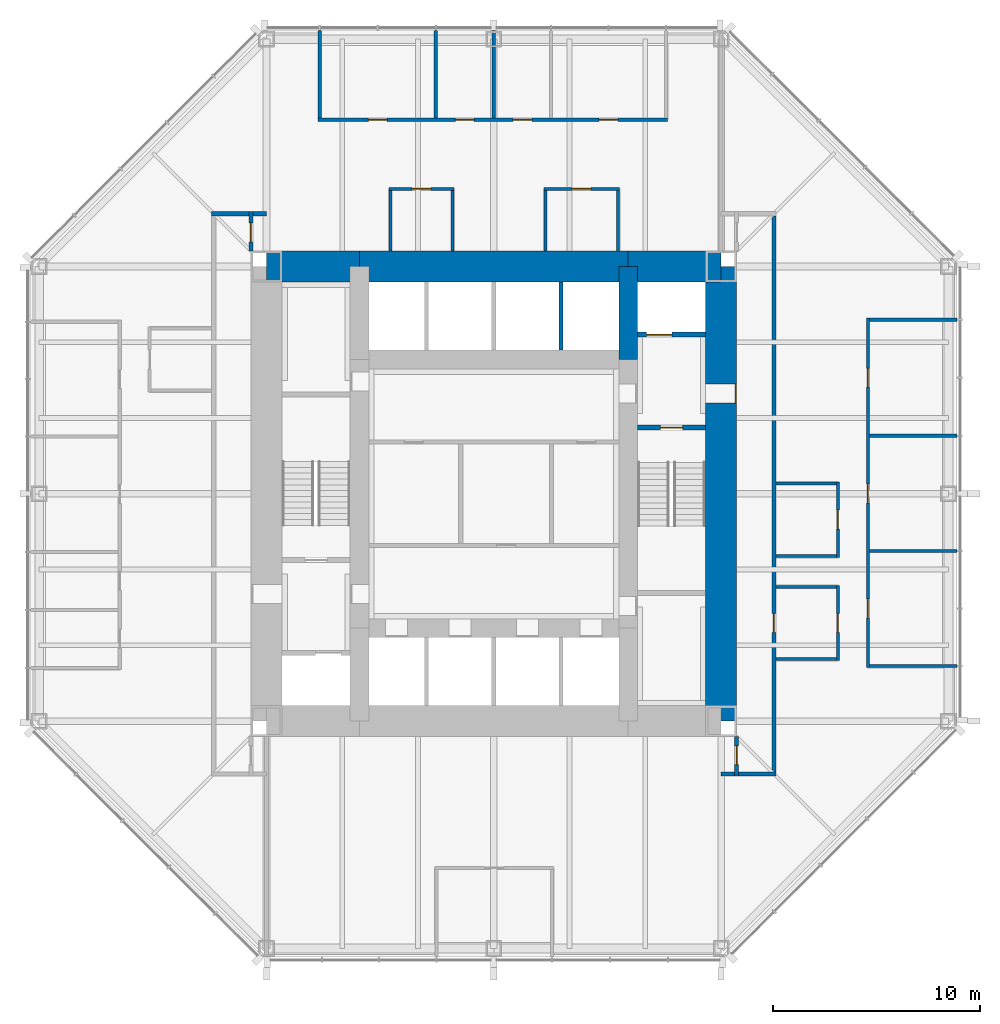
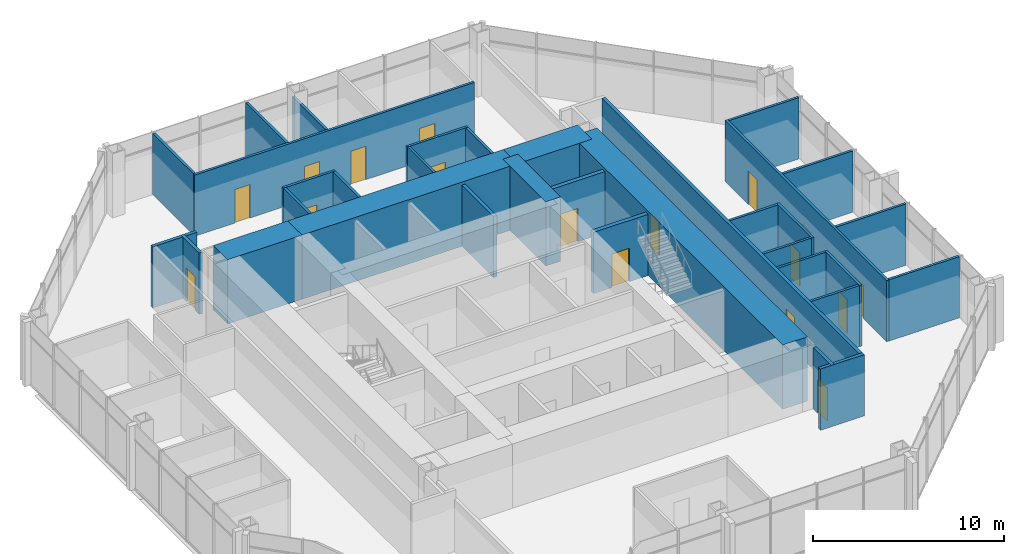
# One storey, part 10 of 12: 34 walls, 17 doors, 17 openings.
"""IFC4 building model written with IfcOpenShell, lengths in metres."""

from ifc_helpers import new_model, si_unit, direction, frame, frame_2d, origin, place, context, subcontext, project, spatial, rectangle, extrude, material, layer, layer_set, type_object, element, fill, save


model = new_model("IFC4")

# Units and contexts
model_context = context("Model", 3, precision=1e-05, world=origin(), true_north=direction((0.0, 1.0)))
body_context = subcontext(model_context, "Body", "Model", "MODEL_VIEW")
ifc_project = project(units=[si_unit("LENGTHUNIT", "METRE"), si_unit("AREAUNIT", "SQUARE_METRE"), si_unit("VOLUMEUNIT", "CUBIC_METRE"), si_unit("PLANEANGLEUNIT", "RADIAN"), si_unit("MASSUNIT", "GRAM", prefix="KILO")], contexts=[model_context])

# Site, building, storey
site_placement = place(None, origin())
site = spatial("IfcSite", under=ifc_project, at=site_placement, CompositionType="ELEMENT")
building_placement = place(site_placement, origin())
building = spatial("IfcBuilding", under=site, at=building_placement, Name="Trevanion Tower", CompositionType="ELEMENT")
storey_placement = place(building_placement, frame((0.0, 0.0, 133.60009765625)))
storey = spatial("IfcBuildingStorey", under=building, at=storey_placement, Name="L31", CompositionType="ELEMENT", Elevation=133.60009765625)

# Wall, opening, door
ifc_material_1 = material(Name="Concrete 10,000 psi", Category="concrete")
ifc_layer_1 = layer(ifc_material_1, 1.5)
ifc_layer_set_1 = layer_set([ifc_layer_1], Name="CW1 core wall 1500")
wall_type_1 = type_object("IfcWallType", Name="CW1 core wall 1500", PredefinedType="SHEAR", material=ifc_layer_set_1)
wall_1_placement = place(storey_placement, frame((11.0, -11.0, 0.0), z_axis=(0.0, 0.0, 1.0), x_axis=(0.0, 1.0, 0.0)))
wall_1 = element("IfcWall", 1, at=wall_1_placement, inside=storey, type_object=wall_type_1, Name="CW1 CE L31", PredefinedType="SHEAR", context=body_context, shape_type="SweptSolid", body=[
    extrude(rectangle(XDim=22.0, YDim=1.5, at=frame_2d((11.0, 0.0))), origin(), (0.0, 0.0, 1.0), 4.099853515625),
])
opening_1_placement = place(wall_1_placement, frame((15.392578125, 0.0, 0.0)))
opening_1 = element("IfcOpeningElement", 2, at=opening_1_placement, cuts=wall_1, Name="Opening 31-001", PredefinedType="OPENING", context=body_context, shape_type="SweptSolid", body=[
    extrude(rectangle(XDim=0.9150390625, YDim=2.134033203125, at=frame_2d((0.45751953125, 1.06689453125))), frame((0.0, 0.760009765625, 0.0), z_axis=(0.0, -1.0, 0.0), x_axis=(1.0, 0.0, 0.0)), (0.0, 0.0, 1.0), 1.52001953125),
])
ifc_material_2 = material(Name="Hollow metal, fire rated", Category="steel")
door_type_1 = type_object("IfcDoorType", Name="D3 fire lift lobby door", OperationType="SINGLE_SWING_RIGHT", PredefinedType="DOOR", material=ifc_material_2)
door_1_placement = place(opening_1_placement, origin())
door_1 = element("IfcDoor", 3, at=door_1_placement, inside=storey, type_object=door_type_1, Name="Door 31-001", OperationType="SINGLE_SWING_RIGHT", OverallHeight=2.134033203125, OverallWidth=0.9150390625, PredefinedType="DOOR", context=body_context, shape_type="SweptSolid", body=[
    extrude(rectangle(XDim=0.9150390625, YDim=2.134033203125, at=frame_2d((0.45751953125, 1.06689453125))), frame((0.0, -0.6748046875, 0.0), z_axis=(0.0, -1.0, 0.0), x_axis=(1.0, 0.0, 0.0)), (0.0, 0.0, 1.0), 0.050048828125),
])
fill(opening_1, door_1)

# Walls
wall_2_placement = place(storey_placement, frame((11.0, 11.0, 0.0), z_axis=(0.0, 0.0, 1.0), x_axis=(-1.0, 0.0, 0.0)))
element("IfcWall", 4, at=wall_2_placement, inside=storey, type_object=wall_type_1, Name="CW1 CN1 L31", PredefinedType="SHEAR", context=body_context, shape_type="SweptSolid", body=[
    extrude(rectangle(XDim=4.5, YDim=1.5, at=frame_2d((2.25, 0.0))), origin(), (0.0, 0.0, 1.0), 4.099853515625),
])
wall_3_placement = place(storey_placement, frame((6.5, 11.0, 0.0), z_axis=(0.0, 0.0, 1.0), x_axis=(-1.0, 0.0, 0.0)))
element("IfcWall", 5, at=wall_3_placement, inside=storey, type_object=wall_type_1, Name="CW1 CN2 L31", PredefinedType="SHEAR", context=body_context, shape_type="SweptSolid", body=[
    extrude(rectangle(XDim=13.0, YDim=1.5, at=frame_2d((6.5, 0.0))), origin(), (0.0, 0.0, 1.0), 4.099853515625),
])
wall_4_placement = place(storey_placement, frame((-6.5, 11.0, 0.0), z_axis=(0.0, 0.0, 1.0), x_axis=(-1.0, 0.0, 0.0)))
element("IfcWall", 6, at=wall_4_placement, inside=storey, type_object=wall_type_1, Name="CW1 CN3 L31", PredefinedType="SHEAR", context=body_context, shape_type="SweptSolid", body=[
    extrude(rectangle(XDim=4.5, YDim=1.5, at=frame_2d((2.25, 0.0))), origin(), (0.0, 0.0, 1.0), 4.099853515625),
])
ifc_material_3 = material(Name="Concrete 10,000 psi", Category="concrete")
ifc_layer_2 = layer(ifc_material_3, 0.89990234375)
ifc_layer_set_2 = layer_set([ifc_layer_2], Name="CW2 core wall 900")
wall_type_2 = type_object("IfcWallType", Name="CW2 core wall 900", PredefinedType="SHEAR", material=ifc_layer_set_2)
wall_5_placement = place(storey_placement, frame((6.5, 6.5, 0.0), z_axis=(0.0, 0.0, 1.0), x_axis=(0.0, 1.0, 0.0)))
element("IfcWall", 7, at=wall_5_placement, inside=storey, type_object=wall_type_2, Name="CW2 RE3 L31", PredefinedType="SHEAR", context=body_context, shape_type="SweptSolid", body=[
    extrude(rectangle(XDim=4.5, YDim=0.89990234375, at=frame_2d((2.25, 0.0))), origin(), (0.0, 0.0, 1.0), 4.099853515625),
])

# Wall, openings, doors
ifc_material_4 = material(Name="Gypsum board on steel studs", Category="steel")
ifc_layer_3 = layer(ifc_material_4, 0.14990234375)
ifc_layer_set_3 = layer_set([ifc_layer_3], Name="PT1 partition 150")
wall_type_3 = type_object("IfcWallType", Name="PT1 partition 150", PredefinedType="PARTITIONING", material=ifc_layer_set_3)
wall_6_placement = place(storey_placement, frame((18.10009765625, -8.39794921875, 0.0), z_axis=(0.0, 0.0, 1.0), x_axis=(0.0, 1.0, 0.0)))
wall_6 = element("IfcWall", 8, at=wall_6_placement, inside=storey, type_object=wall_type_3, Name="PT1 L31 FC0F", PredefinedType="PARTITIONING", context=body_context, shape_type="SweptSolid", body=[
    extrude(rectangle(XDim=16.89404296875, YDim=0.14990234375, at=frame_2d((8.447021484375, 0.0))), origin(), (0.0, 0.0, 1.0), 3.909912109375),
])
opening_2_placement = place(wall_6_placement, frame((2.3916015625, 0.0, 0.0)))
opening_2 = element("IfcOpeningElement", 9, at=opening_2_placement, cuts=wall_6, Name="Opening 31-022", PredefinedType="OPENING", context=body_context, shape_type="SweptSolid", body=[
    extrude(rectangle(XDim=0.9150390625, YDim=2.134033203125, at=frame_2d((0.45751953125, 1.06689453125))), frame((0.0, 0.0849609375, 0.0), z_axis=(0.0, -1.0, 0.0), x_axis=(1.0, 0.0, 0.0)), (0.0, 0.0, 1.0), 0.169921875),
])
opening_3_placement = place(wall_6_placement, frame((7.95654296875, 0.0, 0.0)))
opening_3 = element("IfcOpeningElement", 10, at=opening_3_placement, cuts=wall_6, Name="Opening 31-023", PredefinedType="OPENING", context=body_context, shape_type="SweptSolid", body=[
    extrude(rectangle(XDim=0.9150390625, YDim=2.134033203125, at=frame_2d((0.45751953125, 1.06689453125))), frame((0.0, 0.0849609375, 0.0), z_axis=(0.0, -1.0, 0.0), x_axis=(1.0, 0.0, 0.0)), (0.0, 0.0, 1.0), 0.169921875),
])
opening_4_placement = place(wall_6_placement, frame((13.554443359375, 0.0, 0.0)))
opening_4 = element("IfcOpeningElement", 11, at=opening_4_placement, cuts=wall_6, Name="Opening 31-024", PredefinedType="OPENING", context=body_context, shape_type="SweptSolid", body=[
    extrude(rectangle(XDim=0.9150390625, YDim=2.134033203125, at=frame_2d((0.45751953125, 1.06689453125))), frame((0.0, 0.0849609375, 0.0), z_axis=(0.0, -1.0, 0.0), x_axis=(1.0, 0.0, 0.0)), (0.0, 0.0, 1.0), 0.169921875),
])
ifc_material_5 = material(Name="Timber veneer, solid core", Category="wood")
door_type_2 = type_object("IfcDoorType", Name="D1 office and meeting room door", OperationType="SINGLE_SWING_LEFT", PredefinedType="DOOR", material=ifc_material_5)
door_2_placement = place(opening_2_placement, origin())
door_2 = element("IfcDoor", 12, at=door_2_placement, inside=storey, type_object=door_type_2, Name="Door 31-022", OperationType="SINGLE_SWING_LEFT", OverallHeight=2.134033203125, OverallWidth=0.9150390625, PredefinedType="DOOR", context=body_context, shape_type="SweptSolid", body=[
    extrude(rectangle(XDim=0.9150390625, YDim=2.134033203125, at=frame_2d((0.45751953125, 1.06689453125))), frame((0.0, 0.02490234375, 0.0), z_axis=(0.0, -1.0, 0.0), x_axis=(1.0, 0.0, 0.0)), (0.0, 0.0, 1.0), 0.050048828125),
])
fill(opening_2, door_2)
door_3_placement = place(opening_3_placement, origin())
door_3 = element("IfcDoor", 13, at=door_3_placement, inside=storey, type_object=door_type_2, Name="Door 31-023", OperationType="SINGLE_SWING_LEFT", OverallHeight=2.134033203125, OverallWidth=0.9150390625, PredefinedType="DOOR", context=body_context, shape_type="SweptSolid", body=[
    extrude(rectangle(XDim=0.9150390625, YDim=2.134033203125, at=frame_2d((0.45751953125, 1.06689453125))), frame((0.0, 0.02490234375, 0.0), z_axis=(0.0, -1.0, 0.0), x_axis=(1.0, 0.0, 0.0)), (0.0, 0.0, 1.0), 0.050048828125),
])
fill(opening_3, door_3)
door_4_placement = place(opening_4_placement, origin())
door_4 = element("IfcDoor", 14, at=door_4_placement, inside=storey, type_object=door_type_2, Name="Door 31-024", OperationType="SINGLE_SWING_LEFT", OverallHeight=2.134033203125, OverallWidth=0.9150390625, PredefinedType="DOOR", context=body_context, shape_type="SweptSolid", body=[
    extrude(rectangle(XDim=0.9150390625, YDim=2.134033203125, at=frame_2d((0.45751953125, 1.06689453125))), frame((0.0, 0.02490234375, 0.0), z_axis=(0.0, -1.0, 0.0), x_axis=(1.0, 0.0, 0.0)), (0.0, 0.0, 1.0), 0.050048828125),
])
fill(opening_4, door_4)

# Walls
for number, where, z_axis, x_axis, name in (
    (15, (18.175048828125, -8.322998046875, 0.0), (0.0, 0.0, 1.0), (1.0, 0.0, 0.0), "PT1 L31 FC0S0"),
    (16, (18.175048828125, -2.77490234375, 0.0), (0.0, 0.0, 1.0), (1.0, 0.0, 0.0), "PT1 L31 FC0S2"),
    (17, (18.175048828125, 2.806884765625, 0.0), (0.0, 0.0, 1.0), (1.0, 0.0, 0.0), "PT1 L31 FC0S4"),
    (18, (18.175048828125, 8.4208984375, 0.0), (0.0, 0.0, 1.0), (1.0, 0.0, 0.0), "PT1 L31 FC0S6"),
):
    element("IfcWall", number, at=place(storey_placement, frame(where, z_axis=z_axis, x_axis=x_axis)), inside=storey, type_object=wall_type_3, Name=name, PredefinedType="PARTITIONING", context=body_context, shape_type="SweptSolid", body=[
        extrude(rectangle(XDim=4.239990234375, YDim=0.14990234375, at=frame_2d((2.1201171875, 0.0))), origin(), (0.0, 0.0, 1.0), 3.909912109375),
    ])

# Wall, openings, doors
wall_7_placement = place(storey_placement, frame((8.39794921875, 18.10009765625, 0.0), z_axis=(0.0, 0.0, 1.0), x_axis=(-1.0, 0.0, 0.0)))
wall_7 = element("IfcWall", 19, at=wall_7_placement, inside=storey, type_object=wall_type_3, Name="PT1 L31 FC1F", PredefinedType="PARTITIONING", context=body_context, shape_type="SweptSolid", body=[
    extrude(rectangle(XDim=16.89404296875, YDim=0.14990234375, at=frame_2d((8.447021484375, 0.0))), origin(), (0.0, 0.0, 1.0), 3.909912109375),
])
opening_5_placement = place(wall_7_placement, frame((2.3916015625, 0.0, 0.0)))
opening_5 = element("IfcOpeningElement", 20, at=opening_5_placement, cuts=wall_7, Name="Opening 31-025", PredefinedType="OPENING", context=body_context, shape_type="SweptSolid", body=[
    extrude(rectangle(XDim=0.9150390625, YDim=2.134033203125, at=frame_2d((0.45751953125, 1.06689453125))), frame((0.0, 0.0849609375, 0.0), z_axis=(0.0, -1.0, 0.0), x_axis=(1.0, 0.0, 0.0)), (0.0, 0.0, 1.0), 0.169921875),
])
opening_6_placement = place(wall_7_placement, frame((6.552978515625, 0.0, 0.0)))
opening_6 = element("IfcOpeningElement", 21, at=opening_6_placement, cuts=wall_7, Name="Opening 31-026", PredefinedType="OPENING", context=body_context, shape_type="SweptSolid", body=[
    extrude(rectangle(XDim=0.9150390625, YDim=2.134033203125, at=frame_2d((0.45751953125, 1.06689453125))), frame((0.0, 0.0849609375, 0.0), z_axis=(0.0, -1.0, 0.0), x_axis=(1.0, 0.0, 0.0)), (0.0, 0.0, 1.0), 0.169921875),
])
opening_7_placement = place(wall_7_placement, frame((9.343994140625, 0.0, 0.0)))
opening_7 = element("IfcOpeningElement", 22, at=opening_7_placement, cuts=wall_7, Name="Opening 31-027", PredefinedType="OPENING", context=body_context, shape_type="SweptSolid", body=[
    extrude(rectangle(XDim=0.9150390625, YDim=2.134033203125, at=frame_2d((0.45751953125, 1.06689453125))), frame((0.0, 0.0849609375, 0.0), z_axis=(0.0, -1.0, 0.0), x_axis=(1.0, 0.0, 0.0)), (0.0, 0.0, 1.0), 0.169921875),
])
opening_8_placement = place(wall_7_placement, frame((13.554443359375, 0.0, 0.0)))
opening_8 = element("IfcOpeningElement", 23, at=opening_8_placement, cuts=wall_7, Name="Opening 31-028", PredefinedType="OPENING", context=body_context, shape_type="SweptSolid", body=[
    extrude(rectangle(XDim=0.9150390625, YDim=2.134033203125, at=frame_2d((0.45751953125, 1.06689453125))), frame((0.0, 0.0849609375, 0.0), z_axis=(0.0, -1.0, 0.0), x_axis=(1.0, 0.0, 0.0)), (0.0, 0.0, 1.0), 0.169921875),
])
door_5_placement = place(opening_5_placement, origin())
door_5 = element("IfcDoor", 24, at=door_5_placement, inside=storey, type_object=door_type_2, Name="Door 31-025", OperationType="SINGLE_SWING_LEFT", OverallHeight=2.134033203125, OverallWidth=0.9150390625, PredefinedType="DOOR", context=body_context, shape_type="SweptSolid", body=[
    extrude(rectangle(XDim=0.9150390625, YDim=2.134033203125, at=frame_2d((0.45751953125, 1.06689453125))), frame((0.0, 0.02490234375, 0.0), z_axis=(0.0, -1.0, 0.0), x_axis=(1.0, 0.0, 0.0)), (0.0, 0.0, 1.0), 0.050048828125),
])
fill(opening_5, door_5)
door_6_placement = place(opening_6_placement, origin())
door_6 = element("IfcDoor", 25, at=door_6_placement, inside=storey, type_object=door_type_2, Name="Door 31-026", OperationType="SINGLE_SWING_LEFT", OverallHeight=2.134033203125, OverallWidth=0.9150390625, PredefinedType="DOOR", context=body_context, shape_type="SweptSolid", body=[
    extrude(rectangle(XDim=0.9150390625, YDim=2.134033203125, at=frame_2d((0.45751953125, 1.06689453125))), frame((0.0, 0.02490234375, 0.0), z_axis=(0.0, -1.0, 0.0), x_axis=(1.0, 0.0, 0.0)), (0.0, 0.0, 1.0), 0.050048828125),
])
fill(opening_6, door_6)
door_7_placement = place(opening_7_placement, origin())
door_7 = element("IfcDoor", 26, at=door_7_placement, inside=storey, type_object=door_type_2, Name="Door 31-027", OperationType="SINGLE_SWING_LEFT", OverallHeight=2.134033203125, OverallWidth=0.9150390625, PredefinedType="DOOR", context=body_context, shape_type="SweptSolid", body=[
    extrude(rectangle(XDim=0.9150390625, YDim=2.134033203125, at=frame_2d((0.45751953125, 1.06689453125))), frame((0.0, 0.02490234375, 0.0), z_axis=(0.0, -1.0, 0.0), x_axis=(1.0, 0.0, 0.0)), (0.0, 0.0, 1.0), 0.050048828125),
])
fill(opening_7, door_7)
door_8_placement = place(opening_8_placement, origin())
door_8 = element("IfcDoor", 27, at=door_8_placement, inside=storey, type_object=door_type_2, Name="Door 31-028", OperationType="SINGLE_SWING_LEFT", OverallHeight=2.134033203125, OverallWidth=0.9150390625, PredefinedType="DOOR", context=body_context, shape_type="SweptSolid", body=[
    extrude(rectangle(XDim=0.9150390625, YDim=2.134033203125, at=frame_2d((0.45751953125, 1.06689453125))), frame((0.0, 0.02490234375, 0.0), z_axis=(0.0, -1.0, 0.0), x_axis=(1.0, 0.0, 0.0)), (0.0, 0.0, 1.0), 0.050048828125),
])
fill(opening_8, door_8)

# Walls
wall_8_placement = place(storey_placement, frame((0.0, 18.175048828125, 0.0), z_axis=(0.0, 0.0, 1.0), x_axis=(0.0, 1.0, 0.0)))
element("IfcWall", 28, at=wall_8_placement, inside=storey, type_object=wall_type_3, Name="PT1 L31 FC1S3", PredefinedType="PARTITIONING", context=body_context, shape_type="SweptSolid", body=[
    extrude(rectangle(XDim=4.239990234375, YDim=0.14990234375, at=frame_2d((2.1201171875, 0.0))), origin(), (0.0, 0.0, 1.0), 3.32568359375),
])
for number, where, z_axis, x_axis, name in (
    (29, (-2.806884765625, 18.175048828125, 0.0), (0.0, 0.0, 1.0), (0.0, 1.0, 0.0), "PT1 L31 FC1S4"),
    (30, (-8.4208984375, 18.175048828125, 0.0), (0.0, 0.0, 1.0), (0.0, 1.0, 0.0), "PT1 L31 FC1S6"),
):
    element("IfcWall", number, at=place(storey_placement, frame(where, z_axis=z_axis, x_axis=x_axis)), inside=storey, type_object=wall_type_3, Name=name, PredefinedType="PARTITIONING", context=body_context, shape_type="SweptSolid", body=[
        extrude(rectangle(XDim=4.239990234375, YDim=0.14990234375, at=frame_2d((2.1201171875, 0.0))), origin(), (0.0, 0.0, 1.0), 3.909912109375),
    ])

# Wall, opening, door
wall_9_placement = place(storey_placement, frame((16.64990234375, -8.074951171875, 0.0), z_axis=(0.0, 0.0, 1.0), x_axis=(0.0, 1.0, 0.0)))
wall_9 = element("IfcWall", 31, at=wall_9_placement, inside=storey, type_object=wall_type_3, Name="PT1 L31 IN00F", PredefinedType="PARTITIONING", context=body_context, shape_type="SweptSolid", body=[
    extrude(rectangle(XDim=3.64990234375, YDim=0.14990234375, at=frame_2d((1.824951171875, 0.0))), origin(), (0.0, 0.0, 1.0), 3.909912109375),
])
opening_9_placement = place(wall_9_placement, frame((1.367431640625, 0.0, 0.0)))
opening_9 = element("IfcOpeningElement", 32, at=opening_9_placement, cuts=wall_9, Name="Opening 31-034", PredefinedType="OPENING", context=body_context, shape_type="SweptSolid", body=[
    extrude(rectangle(XDim=0.9150390625, YDim=2.134033203125, at=frame_2d((0.45751953125, 1.06689453125))), frame((0.0, 0.0849609375, 0.0), z_axis=(0.0, -1.0, 0.0), x_axis=(1.0, 0.0, 0.0)), (0.0, 0.0, 1.0), 0.169921875),
])
door_9_placement = place(opening_9_placement, origin())
door_9 = element("IfcDoor", 33, at=door_9_placement, inside=storey, type_object=door_type_2, Name="Door 31-034", OperationType="SINGLE_SWING_LEFT", OverallHeight=2.134033203125, OverallWidth=0.9150390625, PredefinedType="DOOR", context=body_context, shape_type="SweptSolid", body=[
    extrude(rectangle(XDim=0.9150390625, YDim=2.134033203125, at=frame_2d((0.45751953125, 1.06689453125))), frame((0.0, 0.02490234375, 0.0), z_axis=(0.0, -1.0, 0.0), x_axis=(1.0, 0.0, 0.0)), (0.0, 0.0, 1.0), 0.050048828125),
])
fill(opening_9, door_9)

# Walls
for number, where, z_axis, x_axis, name in (
    (34, (16.574951171875, -8.0, 0.0), (0.0, 0.0, 1.0), (-1.0, 0.0, 0.0), "PT1 L31 IN00S0"),
    (35, (16.574951171875, -4.5, 0.0), (0.0, 0.0, 1.0), (-1.0, 0.0, 0.0), "PT1 L31 IN00S1"),
):
    element("IfcWall", number, at=place(storey_placement, frame(where, z_axis=z_axis, x_axis=x_axis)), inside=storey, type_object=wall_type_3, Name=name, PredefinedType="PARTITIONING", context=body_context, shape_type="SweptSolid", body=[
        extrude(rectangle(XDim=2.925048828125, YDim=0.14990234375, at=frame_2d((1.46240234375, 0.0))), origin(), (0.0, 0.0, 1.0), 3.909912109375),
    ])

# Wall, opening, door
wall_10_placement = place(storey_placement, frame((16.64990234375, -3.074951171875, 0.0), z_axis=(0.0, 0.0, 1.0), x_axis=(0.0, 1.0, 0.0)))
wall_10 = element("IfcWall", 36, at=wall_10_placement, inside=storey, type_object=wall_type_3, Name="PT1 L31 IN01F", PredefinedType="PARTITIONING", context=body_context, shape_type="SweptSolid", body=[
    extrude(rectangle(XDim=3.64990234375, YDim=0.14990234375, at=frame_2d((1.824951171875, 0.0))), origin(), (0.0, 0.0, 1.0), 3.909912109375),
])
opening_10_placement = place(wall_10_placement, frame((1.367431640625, 0.0, 0.0)))
opening_10 = element("IfcOpeningElement", 37, at=opening_10_placement, cuts=wall_10, Name="Opening 31-036", PredefinedType="OPENING", context=body_context, shape_type="SweptSolid", body=[
    extrude(rectangle(XDim=0.9150390625, YDim=2.134033203125, at=frame_2d((0.45751953125, 1.06689453125))), frame((0.0, 0.0849609375, 0.0), z_axis=(0.0, -1.0, 0.0), x_axis=(1.0, 0.0, 0.0)), (0.0, 0.0, 1.0), 0.169921875),
])
door_10_placement = place(opening_10_placement, origin())
door_10 = element("IfcDoor", 38, at=door_10_placement, inside=storey, type_object=door_type_2, Name="Door 31-036", OperationType="SINGLE_SWING_LEFT", OverallHeight=2.134033203125, OverallWidth=0.9150390625, PredefinedType="DOOR", context=body_context, shape_type="SweptSolid", body=[
    extrude(rectangle(XDim=0.9150390625, YDim=2.134033203125, at=frame_2d((0.45751953125, 1.06689453125))), frame((0.0, 0.02490234375, 0.0), z_axis=(0.0, -1.0, 0.0), x_axis=(1.0, 0.0, 0.0)), (0.0, 0.0, 1.0), 0.050048828125),
])
fill(opening_10, door_10)

# Walls
for number, where, z_axis, x_axis, name in (
    (39, (16.574951171875, -3.0, 0.0), (0.0, 0.0, 1.0), (-1.0, 0.0, 0.0), "PT1 L31 IN01S0"),
    (40, (16.574951171875, 0.5, 0.0), (0.0, 0.0, 1.0), (-1.0, 0.0, 0.0), "PT1 L31 IN01S1"),
):
    element("IfcWall", number, at=place(storey_placement, frame(where, z_axis=z_axis, x_axis=x_axis)), inside=storey, type_object=wall_type_3, Name=name, PredefinedType="PARTITIONING", context=body_context, shape_type="SweptSolid", body=[
        extrude(rectangle(XDim=2.925048828125, YDim=0.14990234375, at=frame_2d((1.46240234375, 0.0))), origin(), (0.0, 0.0, 1.0), 3.909912109375),
    ])

# Wall, opening, door
wall_11_placement = place(storey_placement, frame((6.074951171875, 14.75, 0.0), z_axis=(0.0, 0.0, 1.0), x_axis=(-1.0, 0.0, 0.0)))
wall_11 = element("IfcWall", 41, at=wall_11_placement, inside=storey, type_object=wall_type_3, Name="PT1 L31 IN10F", PredefinedType="PARTITIONING", context=body_context, shape_type="SweptSolid", body=[
    extrude(rectangle(XDim=3.64990234375, YDim=0.14990234375, at=frame_2d((1.824951171875, 0.0))), origin(), (0.0, 0.0, 1.0), 3.909912109375),
])
opening_11_placement = place(wall_11_placement, frame((1.367431640625, 0.0, 0.0)))
opening_11 = element("IfcOpeningElement", 42, at=opening_11_placement, cuts=wall_11, Name="Opening 31-037", PredefinedType="OPENING", context=body_context, shape_type="SweptSolid", body=[
    extrude(rectangle(XDim=0.9150390625, YDim=2.134033203125, at=frame_2d((0.45751953125, 1.06689453125))), frame((0.0, 0.0849609375, 0.0), z_axis=(0.0, -1.0, 0.0), x_axis=(1.0, 0.0, 0.0)), (0.0, 0.0, 1.0), 0.169921875),
])
door_11_placement = place(opening_11_placement, origin())
door_11 = element("IfcDoor", 43, at=door_11_placement, inside=storey, type_object=door_type_2, Name="Door 31-037", OperationType="SINGLE_SWING_LEFT", OverallHeight=2.134033203125, OverallWidth=0.9150390625, PredefinedType="DOOR", context=body_context, shape_type="SweptSolid", body=[
    extrude(rectangle(XDim=0.9150390625, YDim=2.134033203125, at=frame_2d((0.45751953125, 1.06689453125))), frame((0.0, 0.02490234375, 0.0), z_axis=(0.0, -1.0, 0.0), x_axis=(1.0, 0.0, 0.0)), (0.0, 0.0, 1.0), 0.050048828125),
])
fill(opening_11, door_11)

# Walls
for number, where, z_axis, x_axis, name in (
    (44, (6.0, 14.675048828125, 0.0), (0.0, 0.0, 1.0), (0.0, -1.0, 0.0), "PT1 L31 IN10S0"),
    (45, (2.5, 14.675048828125, 0.0), (0.0, 0.0, 1.0), (0.0, -1.0, 0.0), "PT1 L31 IN10S1"),
):
    element("IfcWall", number, at=place(storey_placement, frame(where, z_axis=z_axis, x_axis=x_axis)), inside=storey, type_object=wall_type_3, Name=name, PredefinedType="PARTITIONING", context=body_context, shape_type="SweptSolid", body=[
        extrude(rectangle(XDim=2.925048828125, YDim=0.14990234375, at=frame_2d((1.46240234375, 0.0))), origin(), (0.0, 0.0, 1.0), 3.909912109375),
    ])

# Wall, opening, door
wall_12_placement = place(storey_placement, frame((-1.925048828125, 14.75, 0.0), z_axis=(0.0, 0.0, 1.0), x_axis=(-1.0, 0.0, 0.0)))
wall_12 = element("IfcWall", 46, at=wall_12_placement, inside=storey, type_object=wall_type_3, Name="PT1 L31 IN11F", PredefinedType="PARTITIONING", context=body_context, shape_type="SweptSolid", body=[
    extrude(rectangle(XDim=3.14990234375, YDim=0.14990234375, at=frame_2d((1.574951171875, 0.0))), origin(), (0.0, 0.0, 1.0), 3.909912109375),
])
opening_12_placement = place(wall_12_placement, frame((1.117431640625, 0.0, 0.0)))
opening_12 = element("IfcOpeningElement", 47, at=opening_12_placement, cuts=wall_12, Name="Opening 31-038", PredefinedType="OPENING", context=body_context, shape_type="SweptSolid", body=[
    extrude(rectangle(XDim=0.9150390625, YDim=2.134033203125, at=frame_2d((0.45751953125, 1.06689453125))), frame((0.0, 0.0849609375, 0.0), z_axis=(0.0, -1.0, 0.0), x_axis=(1.0, 0.0, 0.0)), (0.0, 0.0, 1.0), 0.169921875),
])
door_12_placement = place(opening_12_placement, origin())
door_12 = element("IfcDoor", 48, at=door_12_placement, inside=storey, type_object=door_type_2, Name="Door 31-038", OperationType="SINGLE_SWING_LEFT", OverallHeight=2.134033203125, OverallWidth=0.9150390625, PredefinedType="DOOR", context=body_context, shape_type="SweptSolid", body=[
    extrude(rectangle(XDim=0.9150390625, YDim=2.134033203125, at=frame_2d((0.45751953125, 1.06689453125))), frame((0.0, 0.02490234375, 0.0), z_axis=(0.0, -1.0, 0.0), x_axis=(1.0, 0.0, 0.0)), (0.0, 0.0, 1.0), 0.050048828125),
])
fill(opening_12, door_12)

# Walls
for number, where, z_axis, x_axis, name in (
    (49, (-2.0, 14.675048828125, 0.0), (0.0, 0.0, 1.0), (0.0, -1.0, 0.0), "PT1 L31 IN11S0"),
    (50, (-5.0, 14.675048828125, 0.0), (0.0, 0.0, 1.0), (0.0, -1.0, 0.0), "PT1 L31 IN11S1"),
):
    element("IfcWall", number, at=place(storey_placement, frame(where, z_axis=z_axis, x_axis=x_axis)), inside=storey, type_object=wall_type_3, Name=name, PredefinedType="PARTITIONING", context=body_context, shape_type="SweptSolid", body=[
        extrude(rectangle(XDim=2.925048828125, YDim=0.14990234375, at=frame_2d((1.46240234375, 0.0))), origin(), (0.0, 0.0, 1.0), 3.909912109375),
    ])

# Wall, opening, door
ifc_material_6 = material(Name="Concrete masonry, grouted", Category="masonry")
ifc_layer_4 = layer(ifc_material_6, 0.199951171875)
ifc_layer_set_4 = layer_set([ifc_layer_4], Name="PT2 partition 200 1 HR")
wall_type_4 = type_object("IfcWallType", Name="PT2 partition 200 1 HR", PredefinedType="PARTITIONING", material=ifc_layer_set_4)
wall_13_placement = place(storey_placement, frame((13.550048828125, -13.64990234375, 0.0), z_axis=(0.0, 0.0, 1.0), x_axis=(0.0, 1.0, 0.0)))
wall_13 = element("IfcWall", 51, at=wall_13_placement, inside=storey, type_object=wall_type_4, Name="PT2 L31 OC0", PredefinedType="PARTITIONING", context=body_context, shape_type="SweptSolid", body=[
    extrude(rectangle(XDim=27.099853515625, YDim=0.199951171875, at=frame_2d((13.5498046875, 0.0))), origin(), (0.0, 0.0, 1.0), 3.909912109375),
])
opening_13_placement = place(wall_13_placement, frame((6.9423828125, 0.0, 0.0)))
opening_13 = element("IfcOpeningElement", 52, at=opening_13_placement, cuts=wall_13, Name="Opening 31-035", PredefinedType="OPENING", context=body_context, shape_type="SweptSolid", body=[
    extrude(rectangle(XDim=0.9150390625, YDim=2.134033203125, at=frame_2d((0.45751953125, 1.06689453125))), frame((0.0, 0.10986328125, 0.0), z_axis=(0.0, -1.0, 0.0), x_axis=(1.0, 0.0, 0.0)), (0.0, 0.0, 1.0), 0.219970703125),
])
ifc_material_7 = material(Name="Timber veneer, fire rated", Category="wood")
door_type_3 = type_object("IfcDoorType", Name="D10 office door in a one hour wall", OperationType="SINGLE_SWING_LEFT", PredefinedType="DOOR", material=ifc_material_7)
door_13_placement = place(opening_13_placement, origin())
door_13 = element("IfcDoor", 53, at=door_13_placement, inside=storey, type_object=door_type_3, Name="Door 31-035", OperationType="SINGLE_SWING_LEFT", OverallHeight=2.134033203125, OverallWidth=0.9150390625, PredefinedType="DOOR", context=body_context, shape_type="SweptSolid", body=[
    extrude(rectangle(XDim=0.9150390625, YDim=2.134033203125, at=frame_2d((0.45751953125, 1.06689453125))), frame((0.0, 0.02490234375, 0.0), z_axis=(0.0, -1.0, 0.0), x_axis=(1.0, 0.0, 0.0)), (0.0, 0.0, 1.0), 0.050048828125),
])
fill(opening_13, door_13)

wall_14_placement = place(storey_placement, frame((-11.75, 11.75, 0.0), z_axis=(0.0, 0.0, 1.0), x_axis=(0.0, 1.0, 0.0)))
wall_14 = element("IfcWall", 54, at=wall_14_placement, inside=storey, type_object=wall_type_4, Name="PT2 L31 OUNW1", PredefinedType="PARTITIONING", context=body_context, shape_type="SweptSolid", body=[
    extrude(rectangle(XDim=1.89990234375, YDim=0.199951171875, at=frame_2d((0.949951171875, 0.0))), origin(), (0.0, 0.0, 1.0), 3.909912109375),
])
opening_14_placement = place(wall_14_placement, frame((0.4423828125, 0.0, 0.0)))
opening_14 = element("IfcOpeningElement", 55, at=opening_14_placement, cuts=wall_14, Name="Opening 31-019", PredefinedType="OPENING", context=body_context, shape_type="SweptSolid", body=[
    extrude(rectangle(XDim=0.9150390625, YDim=2.134033203125, at=frame_2d((0.45751953125, 1.06689453125))), frame((0.0, 0.10986328125, 0.0), z_axis=(0.0, -1.0, 0.0), x_axis=(1.0, 0.0, 0.0)), (0.0, 0.0, 1.0), 0.219970703125),
])
door_14_placement = place(opening_14_placement, origin())
door_14 = element("IfcDoor", 56, at=door_14_placement, inside=storey, type_object=door_type_3, Name="Door 31-019", OperationType="SINGLE_SWING_LEFT", OverallHeight=2.134033203125, OverallWidth=0.9150390625, PredefinedType="DOOR", context=body_context, shape_type="SweptSolid", body=[
    extrude(rectangle(XDim=0.9150390625, YDim=2.134033203125, at=frame_2d((0.45751953125, 1.06689453125))), frame((0.0, 0.02490234375, 0.0), z_axis=(0.0, -1.0, 0.0), x_axis=(1.0, 0.0, 0.0)), (0.0, 0.0, 1.0), 0.050048828125),
])
fill(opening_14, door_14)

# Wall
wall_15_placement = place(storey_placement, frame((-11.0, 13.550048828125, 0.0), z_axis=(0.0, 0.0, 1.0), x_axis=(-1.0, 0.0, 0.0)))
element("IfcWall", 57, at=wall_15_placement, inside=storey, type_object=wall_type_4, Name="PT2 L31 OUNW2", PredefinedType="PARTITIONING", context=body_context, shape_type="SweptSolid", body=[
    extrude(rectangle(XDim=2.64990234375, YDim=0.199951171875, at=frame_2d((1.324951171875, 0.0))), origin(), (0.0, 0.0, 1.0), 3.909912109375),
])

# Wall, opening, door
wall_16_placement = place(storey_placement, frame((11.75, -11.75, 0.0), z_axis=(0.0, 0.0, 1.0), x_axis=(0.0, -1.0, 0.0)))
wall_16 = element("IfcWall", 58, at=wall_16_placement, inside=storey, type_object=wall_type_4, Name="PT2 L31 OUSE1", PredefinedType="PARTITIONING", context=body_context, shape_type="SweptSolid", body=[
    extrude(rectangle(XDim=1.89990234375, YDim=0.199951171875, at=frame_2d((0.949951171875, 0.0))), origin(), (0.0, 0.0, 1.0), 3.909912109375),
])
opening_15_placement = place(wall_16_placement, frame((0.4423828125, 0.0, 0.0)))
opening_15 = element("IfcOpeningElement", 59, at=opening_15_placement, cuts=wall_16, Name="Opening 31-020", PredefinedType="OPENING", context=body_context, shape_type="SweptSolid", body=[
    extrude(rectangle(XDim=0.9150390625, YDim=2.134033203125, at=frame_2d((0.45751953125, 1.06689453125))), frame((0.0, 0.10986328125, 0.0), z_axis=(0.0, -1.0, 0.0), x_axis=(1.0, 0.0, 0.0)), (0.0, 0.0, 1.0), 0.219970703125),
])
door_15_placement = place(opening_15_placement, origin())
door_15 = element("IfcDoor", 60, at=door_15_placement, inside=storey, type_object=door_type_3, Name="Door 31-020", OperationType="SINGLE_SWING_LEFT", OverallHeight=2.134033203125, OverallWidth=0.9150390625, PredefinedType="DOOR", context=body_context, shape_type="SweptSolid", body=[
    extrude(rectangle(XDim=0.9150390625, YDim=2.134033203125, at=frame_2d((0.45751953125, 1.06689453125))), frame((0.0, 0.02490234375, 0.0), z_axis=(0.0, -1.0, 0.0), x_axis=(1.0, 0.0, 0.0)), (0.0, 0.0, 1.0), 0.050048828125),
])
fill(opening_15, door_15)

# Walls
wall_17_placement = place(storey_placement, frame((11.0, -13.550048828125, 0.0), z_axis=(0.0, 0.0, 1.0), x_axis=(1.0, 0.0, 0.0)))
element("IfcWall", 61, at=wall_17_placement, inside=storey, type_object=wall_type_4, Name="PT2 L31 OUSE2", PredefinedType="PARTITIONING", context=body_context, shape_type="SweptSolid", body=[
    extrude(rectangle(XDim=2.64990234375, YDim=0.199951171875, at=frame_2d((1.324951171875, 0.0))), origin(), (0.0, 0.0, 1.0), 3.909912109375),
])
ifc_material_8 = material(Name="Concrete masonry, grouted", Category="masonry")
ifc_layer_5 = layer(ifc_material_8, 0.199951171875)
ifc_layer_set_5 = layer_set([ifc_layer_5], Name="PT2 partition 200 2 HR")
wall_type_5 = type_object("IfcWallType", Name="PT2 partition 200 2 HR", PredefinedType="PARTITIONING", material=ifc_layer_set_5)
wall_18_placement = place(storey_placement, frame((3.25, 6.949951171875, 0.0), z_axis=(0.0, 0.0, 1.0), x_axis=(0.0, 1.0, 0.0)))
element("IfcWall", 62, at=wall_18_placement, inside=storey, type_object=wall_type_5, Name="PT2 L31 NS2", PredefinedType="PARTITIONING", context=body_context, shape_type="SweptSolid", body=[
    extrude(rectangle(XDim=3.300048828125, YDim=0.199951171875, at=frame_2d((1.64990234375, 0.0))), origin(), (0.0, 0.0, 1.0), 3.909912109375),
])

# Wall, opening, door
ifc_material_9 = material(Name="Concrete masonry, grouted, two-hour", Category="masonry")
ifc_layer_6 = layer(ifc_material_9, 0.25)
ifc_layer_set_6 = layer_set([ifc_layer_6], Name="PT3 partition 250 2 HR")
wall_type_6 = type_object("IfcWallType", Name="PT3 partition 250 2 HR", PredefinedType="PARTITIONING", material=ifc_layer_set_6)
wall_19_placement = place(storey_placement, frame((6.949951171875, 7.699951171875, 0.0), z_axis=(0.0, 0.0, 1.0), x_axis=(1.0, 0.0, 0.0)))
wall_19 = element("IfcWall", 63, at=wall_19_placement, inside=storey, type_object=wall_type_6, Name="PT3 L31 EP3", PredefinedType="PARTITIONING", context=body_context, shape_type="SweptSolid", body=[
    extrude(rectangle(XDim=3.300048828125, YDim=0.25, at=frame_2d((1.64990234375, 0.0))), origin(), (0.0, 0.0, 1.0), 3.909912109375),
])
opening_16_placement = place(wall_19_placement, frame((0.449951171875, 0.0, 0.0)))
opening_16 = element("IfcOpeningElement", 64, at=opening_16_placement, cuts=wall_19, Name="Opening 31-007", PredefinedType="OPENING", context=body_context, shape_type="SweptSolid", body=[
    extrude(rectangle(XDim=1.218994140625, YDim=2.134033203125, at=frame_2d((0.609375, 1.06689453125))), frame((0.0, 0.135009765625, 0.0), z_axis=(0.0, -1.0, 0.0), x_axis=(1.0, 0.0, 0.0)), (0.0, 0.0, 1.0), 0.27001953125),
])
ifc_material_10 = material(Name="Stainless steel, fire rated", Category="steel")
door_type_4 = type_object("IfcDoorType", Name="LD2 fire service lift landing door", OperationType="SLIDING_TO_LEFT", PredefinedType="DOOR", material=ifc_material_10)
door_16_placement = place(opening_16_placement, origin())
door_16 = element("IfcDoor", 65, at=door_16_placement, inside=storey, type_object=door_type_4, Name="Door 31-007", OperationType="SLIDING_TO_LEFT", OverallHeight=2.134033203125, OverallWidth=1.218994140625, PredefinedType="DOOR", context=body_context, shape_type="SweptSolid", body=[
    extrude(rectangle(XDim=1.218994140625, YDim=2.134033203125, at=frame_2d((0.609375, 1.06689453125))), frame((0.0, 0.02490234375, 0.0), z_axis=(0.0, -1.0, 0.0), x_axis=(1.0, 0.0, 0.0)), (0.0, 0.0, 1.0), 0.050048828125),
])
fill(opening_16, door_16)

ifc_material_11 = material(Name="Reinforced masonry, fully grouted", Category="masonry")
ifc_layer_7 = layer(ifc_material_11, 0.25)
ifc_layer_set_7 = layer_set([ifc_layer_7], Name="SW1 stair shaft wall 250")
wall_type_7 = type_object("IfcWallType", Name="SW1 stair shaft wall 250", PredefinedType="SOLIDWALL", material=ifc_layer_set_7)
wall_20_placement = place(storey_placement, frame((6.949951171875, 3.199951171875, 0.0), z_axis=(0.0, 0.0, 1.0), x_axis=(1.0, 0.0, 0.0)))
wall_20 = element("IfcWall", 66, at=wall_20_placement, inside=storey, type_object=wall_type_7, Name="SW1 L31 EP2", PredefinedType="SOLIDWALL", context=body_context, shape_type="SweptSolid", body=[
    extrude(rectangle(XDim=3.300048828125, YDim=0.25, at=frame_2d((1.64990234375, 0.0))), origin(), (0.0, 0.0, 1.0), 3.909912109375),
])
opening_17_placement = place(wall_20_placement, frame((1.116455078125, 0.0, 0.0)))
opening_17 = element("IfcOpeningElement", 67, at=opening_17_placement, cuts=wall_20, Name="Opening 31-005", PredefinedType="OPENING", context=body_context, shape_type="SweptSolid", body=[
    extrude(rectangle(XDim=1.06689453125, YDim=2.134033203125, at=frame_2d((0.533447265625, 1.06689453125))), frame((0.0, 0.135009765625, 0.0), z_axis=(0.0, -1.0, 0.0), x_axis=(1.0, 0.0, 0.0)), (0.0, 0.0, 1.0), 0.27001953125),
])
ifc_material_12 = material(Name="Hollow metal, fire rated", Category="steel")
door_type_5 = type_object("IfcDoorType", Name="D2 exit stair door", OperationType="SINGLE_SWING_LEFT", PredefinedType="DOOR", material=ifc_material_12)
door_17_placement = place(opening_17_placement, origin())
door_17 = element("IfcDoor", 68, at=door_17_placement, inside=storey, type_object=door_type_5, Name="Door 31-005", OperationType="SINGLE_SWING_LEFT", OverallHeight=2.134033203125, OverallWidth=1.06689453125, PredefinedType="DOOR", context=body_context, shape_type="SweptSolid", body=[
    extrude(rectangle(XDim=1.06689453125, YDim=2.134033203125, at=frame_2d((0.533447265625, 1.06689453125))), frame((0.0, 0.02490234375, 0.0), z_axis=(0.0, -1.0, 0.0), x_axis=(1.0, 0.0, 0.0)), (0.0, 0.0, 1.0), 0.050048828125),
])
fill(opening_17, door_17)

save(model, "model.ifc")
